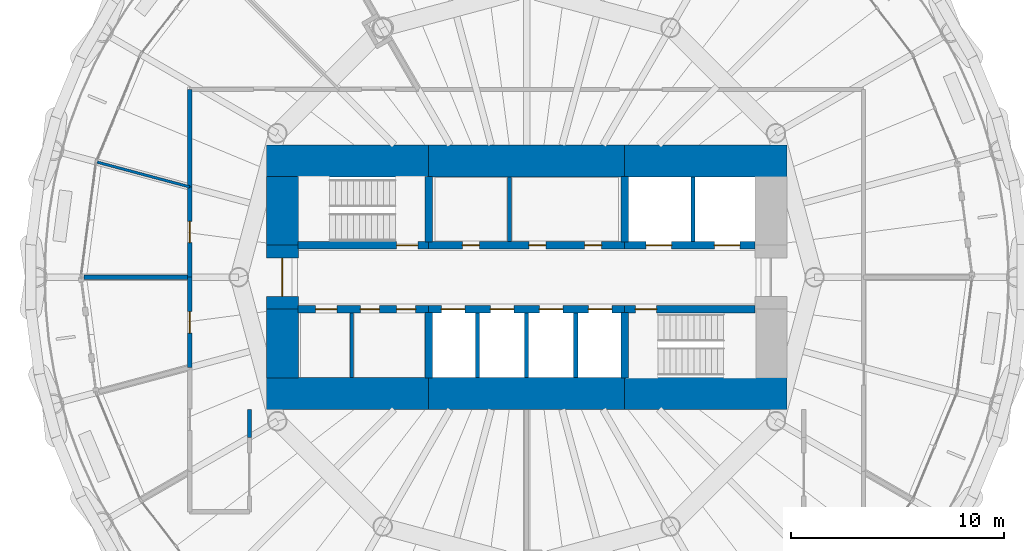
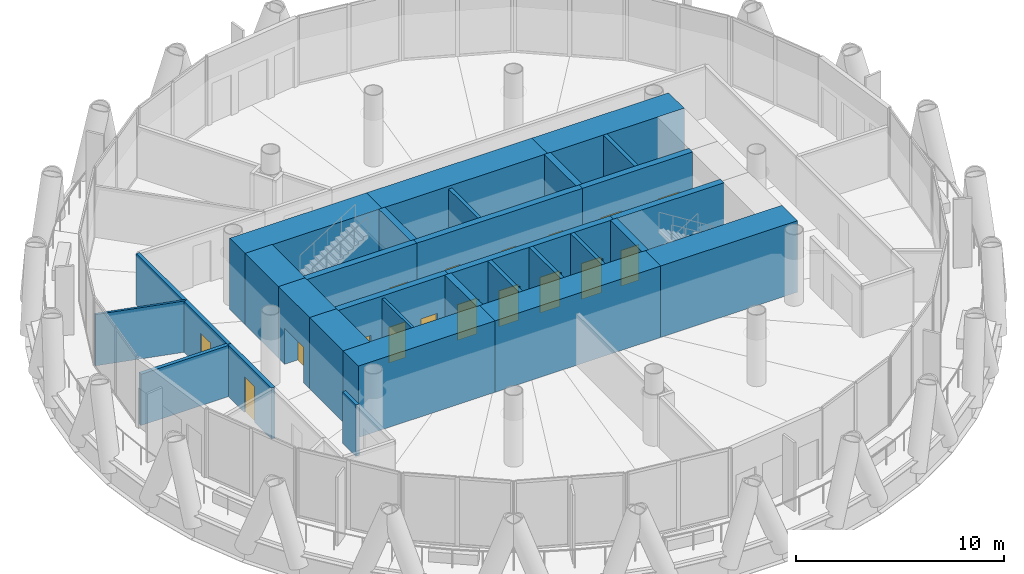
# One storey, part 10 of 14: 31 walls, 17 doors, 17 openings.
"""IFC4 building model written with IfcOpenShell, lengths in metres."""

from ifc_helpers import new_model, si_unit, direction, frame, frame_2d, origin, place, context, subcontext, project, spatial, rectangle, extrude, material, layer, layer_set, type_object, element, fill, save


model = new_model("IFC4")

# Units and contexts
model_context = context("Model", 3, precision=1e-05, world=origin(), true_north=direction((0.0, 1.0)))
body_context = subcontext(model_context, "Body", "Model", "MODEL_VIEW")
ifc_project = project(units=[si_unit("LENGTHUNIT", "METRE"), si_unit("AREAUNIT", "SQUARE_METRE"), si_unit("VOLUMEUNIT", "CUBIC_METRE"), si_unit("PLANEANGLEUNIT", "RADIAN"), si_unit("MASSUNIT", "GRAM", prefix="KILO")], contexts=[model_context])

# Site, building, storey
site_placement = place(None, origin())
site = spatial("IfcSite", under=ifc_project, at=site_placement, CompositionType="ELEMENT")
building_placement = place(site_placement, origin())
building = spatial("IfcBuilding", under=site, at=building_placement, Name="Qaws Media Tower", CompositionType="ELEMENT")
storey_placement = place(building_placement, frame((0.0, 0.0, 206.60009765625)))
storey = spatial("IfcBuildingStorey", under=building, at=storey_placement, Name="L47", CompositionType="ELEMENT", Elevation=206.60009765625)

# Wall, opening, door
ifc_material_1 = material(Name="Concrete C60/75", Category="concrete")
ifc_layer_1 = layer(ifc_material_1, 0.35009765625)
ifc_layer_set_1 = layer_set([ifc_layer_1], Name="Core inner wall 350")
wall_type_1 = type_object("IfcWallType", Name="Core inner wall 350", PredefinedType="SHEAR", material=ifc_layer_set_1)
wall_1_placement = place(storey_placement, frame((49.280029296875, 51.5, 0.0), z_axis=(0.0, 0.0, 1.0), x_axis=(1.0, 0.0, 0.0)))
wall_1 = element("IfcWall", 1, at=wall_1_placement, inside=storey, type_object=wall_type_1, Name="W301 SW5 core wall SPNW L47", PredefinedType="SHEAR", context=body_context, shape_type="SweptSolid", body=[
    extrude(rectangle(XDim=6.119873046875, YDim=0.35009765625, at=frame_2d((3.06005859375, 0.0))), origin(), (0.0, 0.0, 1.0), 4.199951171875),
])
opening_1_placement = place(wall_1_placement, frame((4.6201171875, 0.0, 0.0)))
opening_1 = element("IfcOpeningElement", 2, at=opening_1_placement, cuts=wall_1, Name="Opening D1", PredefinedType="OPENING", context=body_context, shape_type="SweptSolid", body=[
    extrude(rectangle(XDim=1.0, YDim=2.10009765625, at=frame_2d((0.5, 1.050048828125))), frame((0.0, 0.18505859375, 0.0), z_axis=(0.0, -1.0, 0.0), x_axis=(1.0, 0.0, 0.0)), (0.0, 0.0, 1.0), 0.3701171875),
])
ifc_material_2 = material(Name="Steel, fire rated", Category="steel")
door_type_1 = type_object("IfcDoorType", Name="Stair door 1000 FD120", OperationType="SINGLE_SWING_LEFT", PredefinedType="DOOR", material=ifc_material_2)
door_1_placement = place(opening_1_placement, origin())
door_1 = element("IfcDoor", 3, at=door_1_placement, inside=storey, type_object=door_type_1, Name="D1 stair S1 door L47 in wall W301", OperationType="SINGLE_SWING_LEFT", OverallHeight=2.10009765625, OverallWidth=1.0, PredefinedType="DOOR", context=body_context, shape_type="SweptSolid", body=[
    extrude(rectangle(XDim=1.0, YDim=2.10009765625, at=frame_2d((0.5, 1.050048828125))), frame((0.0, 0.02490234375, 0.0), z_axis=(0.0, -1.0, 0.0), x_axis=(1.0, 0.0, 0.0)), (0.0, 0.0, 1.0), 0.050048828125),
])
fill(opening_1, door_1)

# Wall, openings, doors
wall_2_placement = place(storey_placement, frame((55.39990234375, 51.5, 0.0), z_axis=(0.0, 0.0, 1.0), x_axis=(1.0, 0.0, 0.0)))
wall_2 = element("IfcWall", 4, at=wall_2_placement, inside=storey, type_object=wall_type_1, Name="W304 SW5 core wall SPN L47", PredefinedType="SHEAR", context=body_context, shape_type="SweptSolid", body=[
    extrude(rectangle(XDim=9.2001953125, YDim=0.35009765625, at=frame_2d((4.60009765625, 0.0))), origin(), (0.0, 0.0, 1.0), 4.199951171875),
])
opening_2_placement = place(wall_2_placement, frame((1.585205078125, 0.0, 0.0)))
opening_2 = element("IfcOpeningElement", 5, at=opening_2_placement, cuts=wall_2, Name="Opening D23", PredefinedType="OPENING", context=body_context, shape_type="SweptSolid", body=[
    extrude(rectangle(XDim=0.800048828125, YDim=2.10009765625, at=frame_2d((0.39990234375, 1.050048828125))), frame((0.0, 0.18505859375, 0.0), z_axis=(0.0, -1.0, 0.0), x_axis=(1.0, 0.0, 0.0)), (0.0, 0.0, 1.0), 0.3701171875),
])
opening_3_placement = place(wall_2_placement, frame((4.702880859375, 0.0, 0.0)))
opening_3 = element("IfcOpeningElement", 6, at=opening_3_placement, cuts=wall_2, Name="Opening D23", PredefinedType="OPENING", context=body_context, shape_type="SweptSolid", body=[
    extrude(rectangle(XDim=0.800048828125, YDim=2.10009765625, at=frame_2d((0.39990234375, 1.050048828125))), frame((0.0, 0.18505859375, 0.0), z_axis=(0.0, -1.0, 0.0), x_axis=(1.0, 0.0, 0.0)), (0.0, 0.0, 1.0), 0.3701171875),
])
opening_4_placement = place(wall_2_placement, frame((7.317626953125, 0.0, 0.0)))
opening_4 = element("IfcOpeningElement", 7, at=opening_4_placement, cuts=wall_2, Name="Opening D23", PredefinedType="OPENING", context=body_context, shape_type="SweptSolid", body=[
    extrude(rectangle(XDim=0.800048828125, YDim=2.10009765625, at=frame_2d((0.39990234375, 1.050048828125))), frame((0.0, 0.18505859375, 0.0), z_axis=(0.0, -1.0, 0.0), x_axis=(1.0, 0.0, 0.0)), (0.0, 0.0, 1.0), 0.3701171875),
])
ifc_material_3 = material(Name="Steel, fire rated", Category="steel")
door_type_2 = type_object("IfcDoorType", Name="Core room door 800x2100", OperationType="SINGLE_SWING_LEFT", PredefinedType="DOOR", material=ifc_material_3)
door_2_placement = place(opening_2_placement, origin())
door_2 = element("IfcDoor", 8, at=door_2_placement, inside=storey, type_object=door_type_2, Name="D23 Ladies toilets door L47 in wall W304", OperationType="SINGLE_SWING_LEFT", OverallHeight=2.10009765625, OverallWidth=0.800048828125, PredefinedType="DOOR", context=body_context, shape_type="SweptSolid", body=[
    extrude(rectangle(XDim=0.800048828125, YDim=2.10009765625, at=frame_2d((0.39990234375, 1.050048828125))), frame((0.0, 0.02490234375, 0.0), z_axis=(0.0, -1.0, 0.0), x_axis=(1.0, 0.0, 0.0)), (0.0, 0.0, 1.0), 0.050048828125),
])
fill(opening_2, door_2)
door_3_placement = place(opening_3_placement, origin())
door_3 = element("IfcDoor", 9, at=door_3_placement, inside=storey, type_object=door_type_2, Name="D23 Gents toilets door L47 2 in wall W304", OperationType="SINGLE_SWING_LEFT", OverallHeight=2.10009765625, OverallWidth=0.800048828125, PredefinedType="DOOR", context=body_context, shape_type="SweptSolid", body=[
    extrude(rectangle(XDim=0.800048828125, YDim=2.10009765625, at=frame_2d((0.39990234375, 1.050048828125))), frame((0.0, 0.02490234375, 0.0), z_axis=(0.0, -1.0, 0.0), x_axis=(1.0, 0.0, 0.0)), (0.0, 0.0, 1.0), 0.050048828125),
])
fill(opening_3, door_3)
door_4_placement = place(opening_4_placement, origin())
door_4 = element("IfcDoor", 10, at=door_4_placement, inside=storey, type_object=door_type_2, Name="D23 Gents toilets door L47 3 in wall W304", OperationType="SINGLE_SWING_LEFT", OverallHeight=2.10009765625, OverallWidth=0.800048828125, PredefinedType="DOOR", context=body_context, shape_type="SweptSolid", body=[
    extrude(rectangle(XDim=0.800048828125, YDim=2.10009765625, at=frame_2d((0.39990234375, 1.050048828125))), frame((0.0, 0.02490234375, 0.0), z_axis=(0.0, -1.0, 0.0), x_axis=(1.0, 0.0, 0.0)), (0.0, 0.0, 1.0), 0.050048828125),
])
fill(opening_4, door_4)

wall_3_placement = place(storey_placement, frame((64.60009765625, 51.5, 0.0), z_axis=(0.0, 0.0, 1.0), x_axis=(1.0, 0.0, 0.0)))
wall_3 = element("IfcWall", 11, at=wall_3_placement, inside=storey, type_object=wall_type_1, Name="W308 SW5 core wall SPNE L47", PredefinedType="SHEAR", context=body_context, shape_type="SweptSolid", body=[
    extrude(rectangle(XDim=6.119873046875, YDim=0.35009765625, at=frame_2d((3.06005859375, 0.0))), origin(), (0.0, 0.0, 1.0), 4.199951171875),
])
opening_5_placement = place(wall_3_placement, frame((1.0, 0.0, 0.0)))
opening_5 = element("IfcOpeningElement", 12, at=opening_5_placement, cuts=wall_3, Name="Opening LD2", PredefinedType="OPENING", context=body_context, shape_type="SweptSolid", body=[
    extrude(rectangle(XDim=1.199951171875, YDim=2.10009765625, at=frame_2d((0.60009765625, 1.050048828125))), frame((0.0, 0.18505859375, 0.0), z_axis=(0.0, -1.0, 0.0), x_axis=(1.0, 0.0, 0.0)), (0.0, 0.0, 1.0), 0.3701171875),
])
opening_6_placement = place(wall_3_placement, frame((4.199951171875, 0.0, 0.0)))
opening_6 = element("IfcOpeningElement", 13, at=opening_6_placement, cuts=wall_3, Name="Opening LD2", PredefinedType="OPENING", context=body_context, shape_type="SweptSolid", body=[
    extrude(rectangle(XDim=1.199951171875, YDim=2.10009765625, at=frame_2d((0.60009765625, 1.050048828125))), frame((0.0, 0.18505859375, 0.0), z_axis=(0.0, -1.0, 0.0), x_axis=(1.0, 0.0, 0.0)), (0.0, 0.0, 1.0), 0.3701171875),
])
ifc_material_4 = material(Name="Steel, fire rated", Category="steel")
door_type_3 = type_object("IfcDoorType", Name="Lift landing door 1200", OperationType="SLIDING_TO_LEFT", PredefinedType="DOOR", material=ifc_material_4)
door_5_placement = place(opening_5_placement, origin())
door_5 = element("IfcDoor", 14, at=door_5_placement, inside=storey, type_object=door_type_3, Name="FL1 landing door L47 in wall W308", OperationType="SLIDING_TO_LEFT", OverallHeight=2.10009765625, OverallWidth=1.199951171875, PredefinedType="DOOR", context=body_context, shape_type="SweptSolid", body=[
    extrude(rectangle(XDim=1.199951171875, YDim=2.10009765625, at=frame_2d((0.60009765625, 1.050048828125))), frame((0.0, 0.02490234375, 0.0), z_axis=(0.0, -1.0, 0.0), x_axis=(1.0, 0.0, 0.0)), (0.0, 0.0, 1.0), 0.050048828125),
])
fill(opening_5, door_5)
door_6_placement = place(opening_6_placement, origin())
door_6 = element("IfcDoor", 15, at=door_6_placement, inside=storey, type_object=door_type_3, Name="FL2 landing door L47 in wall W308", OperationType="SLIDING_TO_LEFT", OverallHeight=2.10009765625, OverallWidth=1.199951171875, PredefinedType="DOOR", context=body_context, shape_type="SweptSolid", body=[
    extrude(rectangle(XDim=1.199951171875, YDim=2.10009765625, at=frame_2d((0.60009765625, 1.050048828125))), frame((0.0, 0.02490234375, 0.0), z_axis=(0.0, -1.0, 0.0), x_axis=(1.0, 0.0, 0.0)), (0.0, 0.0, 1.0), 0.050048828125),
])
fill(opening_6, door_6)

wall_4_placement = place(storey_placement, frame((49.280029296875, 48.5, 0.0), z_axis=(0.0, 0.0, 1.0), x_axis=(1.0, 0.0, 0.0)))
wall_4 = element("IfcWall", 16, at=wall_4_placement, inside=storey, type_object=wall_type_1, Name="W300 SW5 core wall SPSW L47", PredefinedType="SHEAR", context=body_context, shape_type="SweptSolid", body=[
    extrude(rectangle(XDim=6.119873046875, YDim=0.35009765625, at=frame_2d((3.06005859375, 0.0))), origin(), (0.0, 0.0, 1.0), 4.199951171875),
])
opening_7_placement = place(wall_4_placement, frame((0.820068359375, 0.0, 0.0)))
opening_7 = element("IfcOpeningElement", 17, at=opening_7_placement, cuts=wall_4, Name="Opening D4", PredefinedType="OPENING", context=body_context, shape_type="SweptSolid", body=[
    extrude(rectangle(XDim=1.0, YDim=2.10009765625, at=frame_2d((0.5, 1.050048828125))), frame((0.0, 0.18505859375, 0.0), z_axis=(0.0, -1.0, 0.0), x_axis=(1.0, 0.0, 0.0)), (0.0, 0.0, 1.0), 0.3701171875),
])
opening_8_placement = place(wall_4_placement, frame((2.919921875, 0.0, 0.0)))
opening_8 = element("IfcOpeningElement", 18, at=opening_8_placement, cuts=wall_4, Name="Opening D25", PredefinedType="OPENING", context=body_context, shape_type="SweptSolid", body=[
    extrude(rectangle(XDim=0.89990234375, YDim=2.10009765625, at=frame_2d((0.449951171875, 1.050048828125))), frame((0.0, 0.18505859375, 0.0), z_axis=(0.0, -1.0, 0.0), x_axis=(1.0, 0.0, 0.0)), (0.0, 0.0, 1.0), 0.3701171875),
])
opening_9_placement = place(wall_4_placement, frame((4.6201171875, 0.0, 0.0)))
opening_9 = element("IfcOpeningElement", 19, at=opening_9_placement, cuts=wall_4, Name="Opening D25", PredefinedType="OPENING", context=body_context, shape_type="SweptSolid", body=[
    extrude(rectangle(XDim=0.89990234375, YDim=2.10009765625, at=frame_2d((0.449951171875, 1.050048828125))), frame((0.0, 0.18505859375, 0.0), z_axis=(0.0, -1.0, 0.0), x_axis=(1.0, 0.0, 0.0)), (0.0, 0.0, 1.0), 0.3701171875),
])
ifc_material_5 = material(Name="Timber veneered", Category="wood")
door_type_4 = type_object("IfcDoorType", Name="Accessible WC door 1000", OperationType="SLIDING_TO_LEFT", PredefinedType="DOOR", material=ifc_material_5)
door_7_placement = place(opening_7_placement, origin())
door_7 = element("IfcDoor", 20, at=door_7_placement, inside=storey, type_object=door_type_4, Name="D4 toilet door 1 L47 in wall W300", OperationType="SLIDING_TO_LEFT", OverallHeight=2.10009765625, OverallWidth=1.0, PredefinedType="DOOR", context=body_context, shape_type="SweptSolid", body=[
    extrude(rectangle(XDim=1.0, YDim=2.10009765625, at=frame_2d((0.5, 1.050048828125))), frame((0.0, 0.02490234375, 0.0), z_axis=(0.0, -1.0, 0.0), x_axis=(1.0, 0.0, 0.0)), (0.0, 0.0, 1.0), 0.050048828125),
])
fill(opening_7, door_7)
ifc_material_6 = material(Name="Steel, fire rated", Category="steel")
door_type_5 = type_object("IfcDoorType", Name="Core service door 900", OperationType="SINGLE_SWING_RIGHT", PredefinedType="DOOR", material=ifc_material_6)
door_8_placement = place(opening_8_placement, origin())
door_8 = element("IfcDoor", 21, at=door_8_placement, inside=storey, type_object=door_type_5, Name="D25 toilet door 2 L47 in wall W300", OperationType="SINGLE_SWING_RIGHT", OverallHeight=2.10009765625, OverallWidth=0.89990234375, PredefinedType="DOOR", context=body_context, shape_type="SweptSolid", body=[
    extrude(rectangle(XDim=0.89990234375, YDim=2.10009765625, at=frame_2d((0.449951171875, 1.050048828125))), frame((0.0, 0.02490234375, 0.0), z_axis=(0.0, -1.0, 0.0), x_axis=(1.0, 0.0, 0.0)), (0.0, 0.0, 1.0), 0.050048828125),
])
fill(opening_8, door_8)
door_9_placement = place(opening_9_placement, origin())
door_9 = element("IfcDoor", 22, at=door_9_placement, inside=storey, type_object=door_type_5, Name="D25 toilet door 3 L47 in wall W300", OperationType="SINGLE_SWING_RIGHT", OverallHeight=2.10009765625, OverallWidth=0.89990234375, PredefinedType="DOOR", context=body_context, shape_type="SweptSolid", body=[
    extrude(rectangle(XDim=0.89990234375, YDim=2.10009765625, at=frame_2d((0.449951171875, 1.050048828125))), frame((0.0, 0.02490234375, 0.0), z_axis=(0.0, -1.0, 0.0), x_axis=(1.0, 0.0, 0.0)), (0.0, 0.0, 1.0), 0.050048828125),
])
fill(opening_9, door_9)

wall_5_placement = place(storey_placement, frame((55.39990234375, 48.5, 0.0), z_axis=(0.0, 0.0, 1.0), x_axis=(1.0, 0.0, 0.0)))
wall_5 = element("IfcWall", 23, at=wall_5_placement, inside=storey, type_object=wall_type_1, Name="W303 SW5 core wall SPS L47", PredefinedType="SHEAR", context=body_context, shape_type="SweptSolid", body=[
    extrude(rectangle(XDim=9.2001953125, YDim=0.35009765625, at=frame_2d((4.60009765625, 0.0))), origin(), (0.0, 0.0, 1.0), 4.199951171875),
])
opening_10_placement = place(wall_5_placement, frame((0.60009765625, 0.0, 0.0)))
opening_10 = element("IfcOpeningElement", 24, at=opening_10_placement, cuts=wall_5, Name="Opening LD", PredefinedType="OPENING", context=body_context, shape_type="SweptSolid", body=[
    extrude(rectangle(XDim=1.10009765625, YDim=2.10009765625, at=frame_2d((0.550048828125, 1.050048828125))), frame((0.0, 0.18505859375, 0.0), z_axis=(0.0, -1.0, 0.0), x_axis=(1.0, 0.0, 0.0)), (0.0, 0.0, 1.0), 0.3701171875),
])
opening_11_placement = place(wall_5_placement, frame((2.89990234375, 0.0, 0.0)))
opening_11 = element("IfcOpeningElement", 25, at=opening_11_placement, cuts=wall_5, Name="Opening LD", PredefinedType="OPENING", context=body_context, shape_type="SweptSolid", body=[
    extrude(rectangle(XDim=1.10009765625, YDim=2.10009765625, at=frame_2d((0.550048828125, 1.050048828125))), frame((0.0, 0.18505859375, 0.0), z_axis=(0.0, -1.0, 0.0), x_axis=(1.0, 0.0, 0.0)), (0.0, 0.0, 1.0), 0.3701171875),
])
opening_12_placement = place(wall_5_placement, frame((5.199951171875, 0.0, 0.0)))
opening_12 = element("IfcOpeningElement", 26, at=opening_12_placement, cuts=wall_5, Name="Opening LD", PredefinedType="OPENING", context=body_context, shape_type="SweptSolid", body=[
    extrude(rectangle(XDim=1.10009765625, YDim=2.10009765625, at=frame_2d((0.550048828125, 1.050048828125))), frame((0.0, 0.18505859375, 0.0), z_axis=(0.0, -1.0, 0.0), x_axis=(1.0, 0.0, 0.0)), (0.0, 0.0, 1.0), 0.3701171875),
])
opening_13_placement = place(wall_5_placement, frame((7.5, 0.0, 0.0)))
opening_13 = element("IfcOpeningElement", 27, at=opening_13_placement, cuts=wall_5, Name="Opening LD", PredefinedType="OPENING", context=body_context, shape_type="SweptSolid", body=[
    extrude(rectangle(XDim=1.10009765625, YDim=2.10009765625, at=frame_2d((0.550048828125, 1.050048828125))), frame((0.0, 0.18505859375, 0.0), z_axis=(0.0, -1.0, 0.0), x_axis=(1.0, 0.0, 0.0)), (0.0, 0.0, 1.0), 0.3701171875),
])
ifc_material_7 = material(Name="Steel, fire rated", Category="steel")
door_type_6 = type_object("IfcDoorType", Name="Lift landing door 1100", OperationType="SLIDING_TO_LEFT", PredefinedType="DOOR", material=ifc_material_7)
door_10_placement = place(opening_10_placement, origin())
door_10 = element("IfcDoor", 28, at=door_10_placement, inside=storey, type_object=door_type_6, Name="P5 landing door L47 in wall W303", OperationType="SLIDING_TO_LEFT", OverallHeight=2.10009765625, OverallWidth=1.10009765625, PredefinedType="DOOR", context=body_context, shape_type="SweptSolid", body=[
    extrude(rectangle(XDim=1.10009765625, YDim=2.10009765625, at=frame_2d((0.550048828125, 1.050048828125))), frame((0.0, 0.02490234375, 0.0), z_axis=(0.0, -1.0, 0.0), x_axis=(1.0, 0.0, 0.0)), (0.0, 0.0, 1.0), 0.050048828125),
])
fill(opening_10, door_10)
door_11_placement = place(opening_11_placement, origin())
door_11 = element("IfcDoor", 29, at=door_11_placement, inside=storey, type_object=door_type_6, Name="P6 landing door L47 in wall W303", OperationType="SLIDING_TO_LEFT", OverallHeight=2.10009765625, OverallWidth=1.10009765625, PredefinedType="DOOR", context=body_context, shape_type="SweptSolid", body=[
    extrude(rectangle(XDim=1.10009765625, YDim=2.10009765625, at=frame_2d((0.550048828125, 1.050048828125))), frame((0.0, 0.02490234375, 0.0), z_axis=(0.0, -1.0, 0.0), x_axis=(1.0, 0.0, 0.0)), (0.0, 0.0, 1.0), 0.050048828125),
])
fill(opening_11, door_11)
door_12_placement = place(opening_12_placement, origin())
door_12 = element("IfcDoor", 30, at=door_12_placement, inside=storey, type_object=door_type_6, Name="P7 landing door L47 in wall W303", OperationType="SLIDING_TO_LEFT", OverallHeight=2.10009765625, OverallWidth=1.10009765625, PredefinedType="DOOR", context=body_context, shape_type="SweptSolid", body=[
    extrude(rectangle(XDim=1.10009765625, YDim=2.10009765625, at=frame_2d((0.550048828125, 1.050048828125))), frame((0.0, 0.02490234375, 0.0), z_axis=(0.0, -1.0, 0.0), x_axis=(1.0, 0.0, 0.0)), (0.0, 0.0, 1.0), 0.050048828125),
])
fill(opening_12, door_12)
door_13_placement = place(opening_13_placement, origin())
door_13 = element("IfcDoor", 31, at=door_13_placement, inside=storey, type_object=door_type_6, Name="P8 landing door L47 in wall W303", OperationType="SLIDING_TO_LEFT", OverallHeight=2.10009765625, OverallWidth=1.10009765625, PredefinedType="DOOR", context=body_context, shape_type="SweptSolid", body=[
    extrude(rectangle(XDim=1.10009765625, YDim=2.10009765625, at=frame_2d((0.550048828125, 1.050048828125))), frame((0.0, 0.02490234375, 0.0), z_axis=(0.0, -1.0, 0.0), x_axis=(1.0, 0.0, 0.0)), (0.0, 0.0, 1.0), 0.050048828125),
])
fill(opening_13, door_13)

# Wall, opening, door
wall_6_placement = place(storey_placement, frame((64.60009765625, 48.5, 0.0), z_axis=(0.0, 0.0, 1.0), x_axis=(1.0, 0.0, 0.0)))
wall_6 = element("IfcWall", 32, at=wall_6_placement, inside=storey, type_object=wall_type_1, Name="W307 SW5 core wall SPSE L47", PredefinedType="SHEAR", context=body_context, shape_type="SweptSolid", body=[
    extrude(rectangle(XDim=6.119873046875, YDim=0.35009765625, at=frame_2d((3.06005859375, 0.0))), origin(), (0.0, 0.0, 1.0), 4.199951171875),
])
opening_14_placement = place(wall_6_placement, frame((0.5, 0.0, 0.0)))
opening_14 = element("IfcOpeningElement", 33, at=opening_14_placement, cuts=wall_6, Name="Opening D1", PredefinedType="OPENING", context=body_context, shape_type="SweptSolid", body=[
    extrude(rectangle(XDim=1.0, YDim=2.10009765625, at=frame_2d((0.5, 1.050048828125))), frame((0.0, 0.18505859375, 0.0), z_axis=(0.0, -1.0, 0.0), x_axis=(1.0, 0.0, 0.0)), (0.0, 0.0, 1.0), 0.3701171875),
])
door_14_placement = place(opening_14_placement, origin())
door_14 = element("IfcDoor", 34, at=door_14_placement, inside=storey, type_object=door_type_1, Name="D1 stair S2 door L47 in wall W307", OperationType="SINGLE_SWING_LEFT", OverallHeight=2.10009765625, OverallWidth=1.0, PredefinedType="DOOR", context=body_context, shape_type="SweptSolid", body=[
    extrude(rectangle(XDim=1.0, YDim=2.10009765625, at=frame_2d((0.5, 1.050048828125))), frame((0.0, 0.02490234375, 0.0), z_axis=(0.0, -1.0, 0.0), x_axis=(1.0, 0.0, 0.0)), (0.0, 0.0, 1.0), 0.050048828125),
])
fill(opening_14, door_14)

# Walls
for number, where, z_axis, x_axis, name in (
    (35, (55.39990234375, 51.655029296875, 0.0), (0.0, 0.0, 1.0), (0.0, 1.0, 0.0), "W305 SW5 core wall XNW L47"),
    (36, (64.60009765625, 51.655029296875, 0.0), (0.0, 0.0, 1.0), (0.0, 1.0, 0.0), "W309 SW5 core wall XNE L47"),
    (37, (55.39990234375, 48.344970703125, 0.0), (0.0, 0.0, 1.0), (0.0, -1.0, 0.0), "W302 SW5 core wall XSW L47"),
    (38, (64.60009765625, 48.344970703125, 0.0), (0.0, 0.0, 1.0), (0.0, -1.0, 0.0), "W306 SW5 core wall XSE L47"),
):
    element("IfcWall", number, at=place(storey_placement, frame(where, z_axis=z_axis, x_axis=x_axis)), inside=storey, type_object=wall_type_1, Name=name, PredefinedType="SHEAR", context=body_context, shape_type="SweptSolid", body=[
        extrude(rectangle(XDim=3.06494140625, YDim=0.35009765625, at=frame_2d((1.532470703125, 0.0))), origin(), (0.0, 0.0, 1.0), 4.199951171875),
    ])
ifc_material_8 = material(Name="Concrete C60/75", Category="concrete")
ifc_layer_2 = layer(ifc_material_8, 1.5)
ifc_layer_set_2 = layer_set([ifc_layer_2], Name="Core wall 1500")
wall_type_2 = type_object("IfcWallType", Name="Core wall 1500", PredefinedType="SHEAR", material=ifc_layer_set_2)
wall_7_placement = place(storey_placement, frame((47.800048828125, 55.449951171875, 0.0), z_axis=(0.0, 0.0, 1.0), x_axis=(1.0, 0.0, 0.0)))
element("IfcWall", 39, at=wall_7_placement, inside=storey, type_object=wall_type_2, Name="W377 SW13 core wall NW L47", PredefinedType="SHEAR", context=body_context, shape_type="SweptSolid", body=[
    extrude(rectangle(XDim=7.599853515625, YDim=1.5, at=frame_2d((3.7998046875, 0.0))), origin(), (0.0, 0.0, 1.0), 4.199951171875),
])
wall_8_placement = place(storey_placement, frame((55.39990234375, 55.449951171875, 0.0), z_axis=(0.0, 0.0, 1.0), x_axis=(1.0, 0.0, 0.0)))
element("IfcWall", 40, at=wall_8_placement, inside=storey, type_object=wall_type_2, Name="W373 SW13 core wall N L47", PredefinedType="SHEAR", context=body_context, shape_type="SweptSolid", body=[
    extrude(rectangle(XDim=9.2001953125, YDim=1.5, at=frame_2d((4.60009765625, 0.0))), origin(), (0.0, 0.0, 1.0), 4.199951171875),
])
for number, where, z_axis, x_axis, name in (
    (41, (64.60009765625, 55.449951171875, 0.0), (0.0, 0.0, 1.0), (1.0, 0.0, 0.0), "W382 SW13 core wall NE L47"),
    (42, (47.800048828125, 44.550048828125, 0.0), (0.0, 0.0, 1.0), (1.0, 0.0, 0.0), "W376 SW13 core wall SW L47"),
):
    element("IfcWall", number, at=place(storey_placement, frame(where, z_axis=z_axis, x_axis=x_axis)), inside=storey, type_object=wall_type_2, Name=name, PredefinedType="SHEAR", context=body_context, shape_type="SweptSolid", body=[
        extrude(rectangle(XDim=7.599853515625, YDim=1.5, at=frame_2d((3.7998046875, 0.0))), origin(), (0.0, 0.0, 1.0), 4.199951171875),
    ])
wall_9_placement = place(storey_placement, frame((55.39990234375, 44.550048828125, 0.0), z_axis=(0.0, 0.0, 1.0), x_axis=(1.0, 0.0, 0.0)))
element("IfcWall", 43, at=wall_9_placement, inside=storey, type_object=wall_type_2, Name="W372 SW13 core wall S L47", PredefinedType="SHEAR", context=body_context, shape_type="SweptSolid", body=[
    extrude(rectangle(XDim=9.2001953125, YDim=1.5, at=frame_2d((4.60009765625, 0.0))), origin(), (0.0, 0.0, 1.0), 4.199951171875),
])
wall_10_placement = place(storey_placement, frame((64.60009765625, 44.550048828125, 0.0), z_axis=(0.0, 0.0, 1.0), x_axis=(1.0, 0.0, 0.0)))
element("IfcWall", 44, at=wall_10_placement, inside=storey, type_object=wall_type_2, Name="W381 SW13 core wall SE L47", PredefinedType="SHEAR", context=body_context, shape_type="SweptSolid", body=[
    extrude(rectangle(XDim=7.599853515625, YDim=1.5, at=frame_2d((3.7998046875, 0.0))), origin(), (0.0, 0.0, 1.0), 4.199951171875),
])
wall_11_placement = place(storey_placement, frame((48.550048828125, 45.280029296875, 0.0), z_axis=(0.0, 0.0, 1.0), x_axis=(0.0, 1.0, 0.0)))
element("IfcWall", 45, at=wall_11_placement, inside=storey, type_object=wall_type_2, Name="W378 SW13 core wall WS L47", PredefinedType="SHEAR", context=body_context, shape_type="SweptSolid", body=[
    extrude(rectangle(XDim=3.219970703125, YDim=1.5, at=frame_2d((1.60986328125, 0.0))), origin(), (0.0, 0.0, 1.0), 4.199951171875),
])

# Wall, opening, door
wall_12_placement = place(storey_placement, frame((48.550048828125, 48.5, 0.0), z_axis=(0.0, 0.0, 1.0), x_axis=(0.0, 1.0, 0.0)))
wall_12 = element("IfcWall", 46, at=wall_12_placement, inside=storey, type_object=wall_type_2, Name="W379 SW13 core wall W L47", PredefinedType="SHEAR", context=body_context, shape_type="SweptSolid", body=[
    extrude(rectangle(XDim=3.0, YDim=1.5, at=frame_2d((1.5, 0.0))), origin(), (0.0, 0.0, 1.0), 4.199951171875),
])
opening_15_placement = place(wall_12_placement, frame((0.60009765625, 0.0, 0.0)))
opening_15 = element("IfcOpeningElement", 47, at=opening_15_placement, cuts=wall_12, Name="Opening D2", PredefinedType="OPENING", context=body_context, shape_type="SweptSolid", body=[
    extrude(rectangle(XDim=1.800048828125, YDim=2.10009765625, at=frame_2d((0.89990234375, 1.050048828125))), frame((0.0, 0.760009765625, 0.0), z_axis=(0.0, -1.0, 0.0), x_axis=(1.0, 0.0, 0.0)), (0.0, 0.0, 1.0), 1.52001953125),
])
ifc_material_9 = material(Name="Steel and glass, fire rated", Category="steel")
door_type_7 = type_object("IfcDoorType", Name="Lobby door pair 1800 FD60", OperationType="DOUBLE_DOOR_DOUBLE_SWING", PredefinedType="DOOR", material=ifc_material_9)
door_15_placement = place(opening_15_placement, origin())
door_15 = element("IfcDoor", 48, at=door_15_placement, inside=storey, type_object=door_type_7, Name="D2 core lobby door W L47 in wall W379", OperationType="DOUBLE_DOOR_DOUBLE_SWING", OverallHeight=2.10009765625, OverallWidth=1.800048828125, PredefinedType="DOOR", context=body_context, shape_type="SweptSolid", body=[
    extrude(rectangle(XDim=1.800048828125, YDim=2.10009765625, at=frame_2d((0.89990234375, 1.050048828125))), frame((0.0, 0.02490234375, 0.0), z_axis=(0.0, -1.0, 0.0), x_axis=(1.0, 0.0, 0.0)), (0.0, 0.0, 1.0), 0.050048828125),
])
fill(opening_15, door_15)

# Walls
wall_13_placement = place(storey_placement, frame((48.550048828125, 51.5, 0.0), z_axis=(0.0, 0.0, 1.0), x_axis=(0.0, 1.0, 0.0)))
element("IfcWall", 49, at=wall_13_placement, inside=storey, type_object=wall_type_2, Name="W380 SW13 core wall WN L47", PredefinedType="SHEAR", context=body_context, shape_type="SweptSolid", body=[
    extrude(rectangle(XDim=3.219970703125, YDim=1.5, at=frame_2d((1.60986328125, 0.0))), origin(), (0.0, 0.0, 1.0), 4.199951171875),
])
ifc_material_10 = material(Name="Two layers gypsum board each side on 75 studs, insulated", Category="gypsum")
ifc_layer_3 = layer(ifc_material_10, 0.125)
ifc_layer_set_3 = layer_set([ifc_layer_3], Name="Meeting room partition 125 Rw 48")
wall_type_3 = type_object("IfcWallType", Name="Meeting room partition 125 Rw 48", PredefinedType="PARTITIONING", material=ifc_layer_set_3)
wall_14_placement = place(storey_placement, frame((44.197509765625, 54.234375, 0.0), z_axis=(0.0, 0.0, 1.0), x_axis=(-0.965933522054, 0.25879032241, 0.0)))
element("IfcWall", 50, at=wall_14_placement, inside=storey, type_object=wall_type_3, Name="W597 IW5 partition L47", PredefinedType="PARTITIONING", context=body_context, shape_type="SweptSolid", body=[
    extrude(rectangle(XDim=4.5, YDim=0.125, at=frame_2d((2.25, 0.0))), origin(), (0.0, 0.0, 1.0), 3.011962890625),
])
ifc_material_11 = material(Name="Gypsum board on galvanised metal studs, acoustic double stud, deflection head", Category="gypsum")
ifc_layer_4 = layer(ifc_material_11, 0.199951171875)
ifc_layer_set_4 = layer_set([ifc_layer_4], Name="Room partition 200")
wall_type_4 = type_object("IfcWallType", Name="Room partition 200", PredefinedType="PARTITIONING", material=ifc_layer_set_4)
wall_15_placement = place(storey_placement, frame((47.0, 43.800048828125, 0.0), z_axis=(0.0, 0.0, 1.0), x_axis=(0.0, -1.0, 0.0)))
element("IfcWall", 51, at=wall_15_placement, inside=storey, type_object=wall_type_4, Name="W1528 IW3 partition L47", PredefinedType="PARTITIONING", context=body_context, shape_type="SweptSolid", body=[
    extrude(rectangle(XDim=1.3056640625, YDim=0.199951171875, at=frame_2d((0.65283203125, 0.0))), origin(), (0.0, 0.0, 1.0), 3.011962890625),
])

# Wall, opening, door
wall_16_placement = place(storey_placement, frame((44.199951171875, 45.766357421875, 0.0), z_axis=(0.0, 0.0, 1.0), x_axis=(0.0, 1.0, 0.0)))
wall_16 = element("IfcWall", 52, at=wall_16_placement, inside=storey, type_object=wall_type_4, Name="W1362 IW3 partition L47", PredefinedType="PARTITIONING", context=body_context, shape_type="SweptSolid", body=[
    extrude(rectangle(XDim=4.233642578125, YDim=0.199951171875, at=frame_2d((2.11669921875, 0.0))), origin(), (0.0, 0.0, 1.0), 3.011962890625),
])
opening_16_placement = place(wall_16_placement, frame((1.61669921875, 0.0, 0.0)))
opening_16 = element("IfcOpeningElement", 53, at=opening_16_placement, cuts=wall_16, Name="Opening D5", PredefinedType="OPENING", context=body_context, shape_type="SweptSolid", body=[
    extrude(rectangle(XDim=1.0, YDim=2.10009765625, at=frame_2d((0.5, 1.050048828125))), frame((0.0, 0.10986328125, 0.0), z_axis=(0.0, -1.0, 0.0), x_axis=(1.0, 0.0, 0.0)), (0.0, 0.0, 1.0), 0.219970703125),
])
ifc_material_12 = material(Name="Timber veneered, acoustic seal", Category="wood")
door_type_8 = type_object("IfcDoorType", Name="Room door 1000", OperationType="SINGLE_SWING_LEFT", PredefinedType="DOOR", material=ifc_material_12)
door_16_placement = place(opening_16_placement, origin())
door_16 = element("IfcDoor", 54, at=door_16_placement, inside=storey, type_object=door_type_8, Name="D5 Edit room door L47 in wall W1362", OperationType="SINGLE_SWING_LEFT", OverallHeight=2.10009765625, OverallWidth=1.0, PredefinedType="DOOR", context=body_context, shape_type="SweptSolid", body=[
    extrude(rectangle(XDim=1.0, YDim=2.10009765625, at=frame_2d((0.5, 1.050048828125))), frame((0.0, 0.02490234375, 0.0), z_axis=(0.0, -1.0, 0.0), x_axis=(1.0, 0.0, 0.0)), (0.0, 0.0, 1.0), 0.050048828125),
])
fill(opening_16, door_16)

wall_17_placement = place(storey_placement, frame((44.199951171875, 50.0, 0.0), z_axis=(0.0, 0.0, 1.0), x_axis=(0.0, 1.0, 0.0)))
wall_17 = element("IfcWall", 55, at=wall_17_placement, inside=storey, type_object=wall_type_4, Name="W1363 IW3 partition L47", PredefinedType="PARTITIONING", context=body_context, shape_type="SweptSolid", body=[
    extrude(rectangle(XDim=4.233642578125, YDim=0.199951171875, at=frame_2d((2.11669921875, 0.0))), origin(), (0.0, 0.0, 1.0), 3.011962890625),
])
opening_17_placement = place(wall_17_placement, frame((1.61669921875, 0.0, 0.0)))
opening_17 = element("IfcOpeningElement", 56, at=opening_17_placement, cuts=wall_17, Name="Opening D5", PredefinedType="OPENING", context=body_context, shape_type="SweptSolid", body=[
    extrude(rectangle(XDim=1.0, YDim=2.10009765625, at=frame_2d((0.5, 1.050048828125))), frame((0.0, 0.10986328125, 0.0), z_axis=(0.0, -1.0, 0.0), x_axis=(1.0, 0.0, 0.0)), (0.0, 0.0, 1.0), 0.219970703125),
])
door_17_placement = place(opening_17_placement, origin())
door_17 = element("IfcDoor", 57, at=door_17_placement, inside=storey, type_object=door_type_8, Name="D5 Edit room door L47 in wall W1363", OperationType="SINGLE_SWING_LEFT", OverallHeight=2.10009765625, OverallWidth=1.0, PredefinedType="DOOR", context=body_context, shape_type="SweptSolid", body=[
    extrude(rectangle(XDim=1.0, YDim=2.10009765625, at=frame_2d((0.5, 1.050048828125))), frame((0.0, 0.02490234375, 0.0), z_axis=(0.0, -1.0, 0.0), x_axis=(1.0, 0.0, 0.0)), (0.0, 0.0, 1.0), 0.050048828125),
])
fill(opening_17, door_17)

# Walls
wall_18_placement = place(storey_placement, frame((44.199951171875, 54.233642578125, 0.0), z_axis=(0.0, 0.0, 1.0), x_axis=(0.0, 1.0, 0.0)))
element("IfcWall", 58, at=wall_18_placement, inside=storey, type_object=wall_type_4, Name="W1525 IW3 partition L47", PredefinedType="PARTITIONING", context=body_context, shape_type="SweptSolid", body=[
    extrude(rectangle(XDim=4.56640625, YDim=0.199951171875, at=frame_2d((2.283203125, 0.0))), origin(), (0.0, 0.0, 1.0), 3.011962890625),
])
wall_19_placement = place(storey_placement, frame((44.199951171875, 50.0, 0.0), z_axis=(0.0, 0.0, 1.0), x_axis=(-1.0, 0.0, 0.0)))
element("IfcWall", 59, at=wall_19_placement, inside=storey, type_object=wall_type_4, Name="W1547 IW3 partition L47", PredefinedType="PARTITIONING", context=body_context, shape_type="SweptSolid", body=[
    extrude(rectangle(XDim=4.9599609375, YDim=0.199951171875, at=frame_2d((2.47998046875, 0.0))), origin(), (0.0, 0.0, 1.0), 3.011962890625),
])
wall_20_placement = place(storey_placement, frame((59.195556640625, 51.675048828125, 0.0), z_axis=(0.0, 0.0, 1.0), x_axis=(0.0, 1.0, 0.0)))
element("IfcWall", 60, at=wall_20_placement, inside=storey, type_object=wall_type_4, Name="W1536 IW3 core room partition 1 L47", PredefinedType="PARTITIONING", context=body_context, shape_type="SweptSolid", body=[
    extrude(rectangle(XDim=3.02490234375, YDim=0.199951171875, at=frame_2d((1.512451171875, 0.0))), origin(), (0.0, 0.0, 1.0), 4.039794921875),
])
ifc_material_13 = material(Name="Fire-rated gypsum board shaft wall on galvanised metal studs, deflection head", Category="gypsum")
ifc_layer_5 = layer(ifc_material_13, 0.199951171875)
ifc_layer_set_5 = layer_set([ifc_layer_5], Name="Shaft wall 200")
wall_type_5 = type_object("IfcWallType", Name="Shaft wall 200", PredefinedType="PARTITIONING", material=ifc_layer_set_5)
for number, where, z_axis, x_axis, name in (
    (61, (57.699951171875, 45.300048828125, 0.0), (0.0, 0.0, 1.0), (0.0, 1.0, 0.0), "W1871 IW1 shaft wall S1 L47"),
    (62, (60.0, 45.300048828125, 0.0), (0.0, 0.0, 1.0), (0.0, 1.0, 0.0), "W1872 IW1 shaft wall S2 L47"),
    (63, (62.300048828125, 45.300048828125, 0.0), (0.0, 0.0, 1.0), (0.0, 1.0, 0.0), "W1873 IW1 shaft wall S3 L47"),
    (64, (67.800048828125, 51.675048828125, 0.0), (0.0, 0.0, 1.0), (0.0, 1.0, 0.0), "W1874 IW1 shaft wall FL L47"),
):
    element("IfcWall", number, at=place(storey_placement, frame(where, z_axis=z_axis, x_axis=x_axis)), inside=storey, type_object=wall_type_5, Name=name, PredefinedType="PARTITIONING", context=body_context, shape_type="SweptSolid", body=[
        extrude(rectangle(XDim=3.02490234375, YDim=0.199951171875, at=frame_2d((1.512451171875, 0.0))), origin(), (0.0, 0.0, 1.0), 4.199951171875),
    ])
ifc_material_14 = material(Name="Gypsum board on galvanised metal studs, deflection head", Category="gypsum")
ifc_layer_6 = layer(ifc_material_14, 0.14990234375)
ifc_layer_set_6 = layer_set([ifc_layer_6], Name="WC partition 150")
wall_type_6 = type_object("IfcWallType", Name="WC partition 150", PredefinedType="PARTITIONING", material=ifc_layer_set_6)
wall_21_placement = place(storey_placement, frame((51.800048828125, 45.300048828125, 0.0), z_axis=(0.0, 0.0, 1.0), x_axis=(0.0, 1.0, 0.0)))
element("IfcWall", 65, at=wall_21_placement, inside=storey, type_object=wall_type_6, Name="W1922 IW2 toilet partition 1 L47", PredefinedType="PARTITIONING", context=body_context, shape_type="SweptSolid", body=[
    extrude(rectangle(XDim=3.02490234375, YDim=0.14990234375, at=frame_2d((1.512451171875, 0.0))), origin(), (0.0, 0.0, 1.0), 4.039794921875),
])

save(model, "model.ifc")
